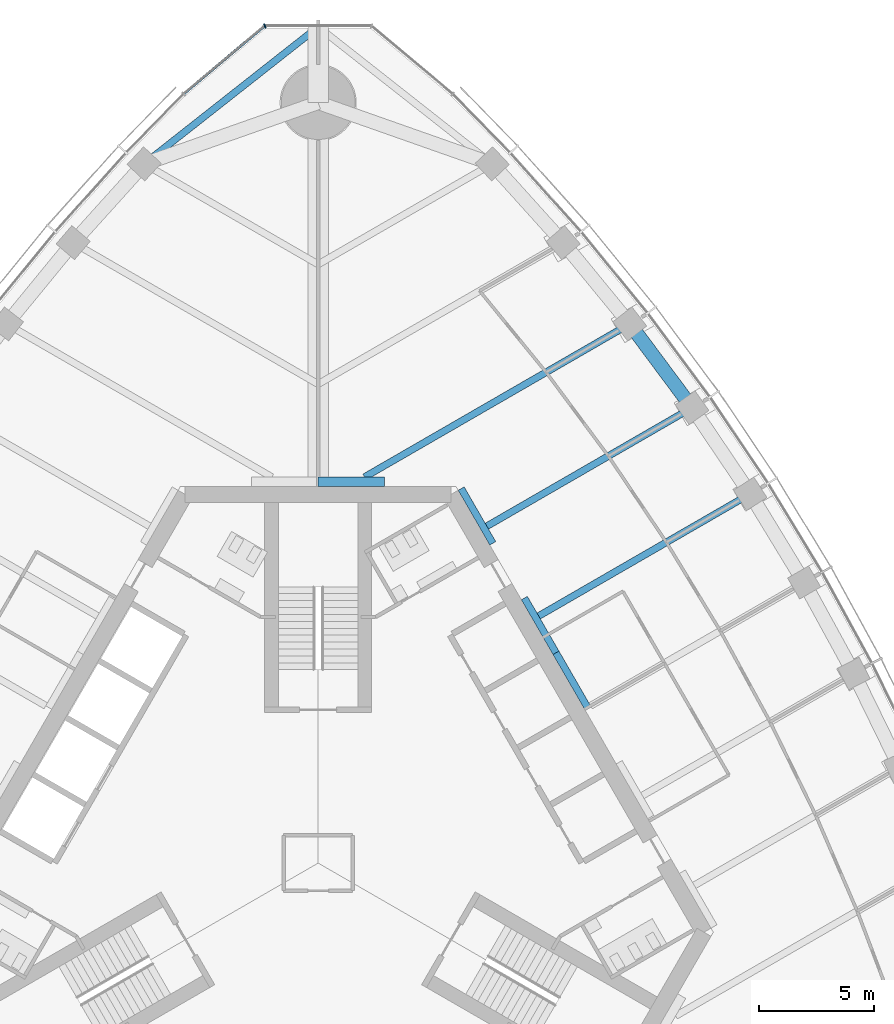
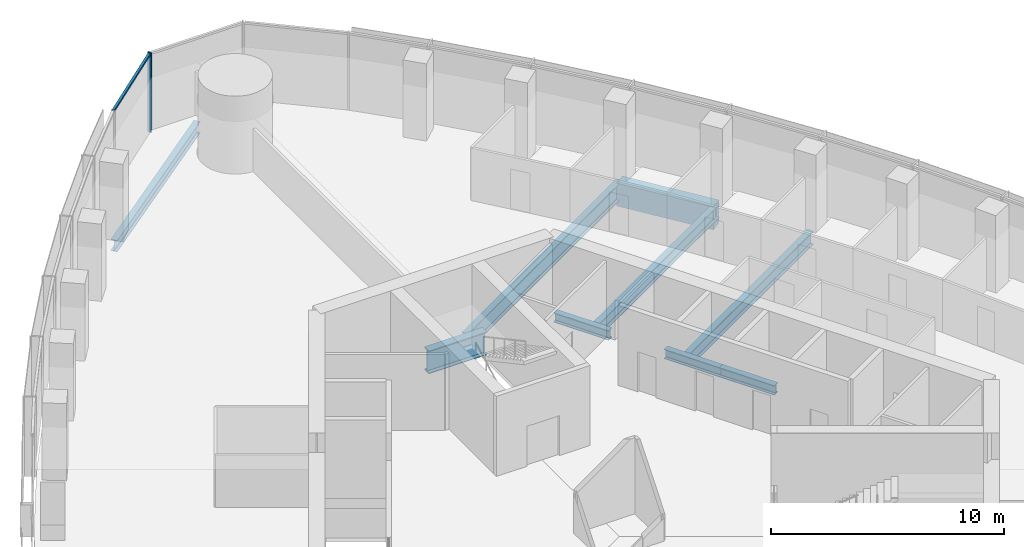
# One storey, part 6 of 19: 9 beams, 2 members, 1 element without a shape of its own.
"""IFC4 building model written with IfcOpenShell, lengths in metres."""

from ifc_helpers import new_model, si_unit, direction, frame, origin, origin_2d, place, context, subcontext, project, spatial, rectangle, i_section, extrude, material, material_profile, profile_set, type_object, element, aggregate, save


model = new_model("IFC4")

# Units and contexts
model_context = context("Model", 3, precision=1e-05, world=origin(), true_north=direction((0.0, 1.0)))
body_context = subcontext(model_context, "Body", "Model", "MODEL_VIEW")
ifc_project = project(units=[si_unit("LENGTHUNIT", "METRE"), si_unit("AREAUNIT", "SQUARE_METRE"), si_unit("VOLUMEUNIT", "CUBIC_METRE"), si_unit("PLANEANGLEUNIT", "RADIAN"), si_unit("MASSUNIT", "GRAM", prefix="KILO")], contexts=[model_context])

# Site, building, storey
site_placement = place(None, origin())
site = spatial("IfcSite", under=ifc_project, at=site_placement, CompositionType="ELEMENT")
building_placement = place(site_placement, origin())
building = spatial("IfcBuilding", under=site, at=building_placement, Name="Trefoil Bronze Tower", CompositionType="ELEMENT")
storey_placement = place(building_placement, frame((0.0, 0.0, 235.89990234375)))
storey = spatial("IfcBuildingStorey", under=building, at=storey_placement, Name="L54", CompositionType="ELEMENT", Elevation=235.89990234375)

# Curtain wall, members
ifc_material_1 = material(Name="Tinted solar-control glass", Category="glass")
curtain_wall_type = type_object("IfcCurtainWallType", Name="Bronze rounded corner curtain wall", PredefinedType="USERDEFINED", material=ifc_material_1)
curtain_wall_placement = place(storey_placement, origin())
curtain_wall = element("IfcCurtainWall", 1, at=curtain_wall_placement, inside=storey, type_object=curtain_wall_type, Name="CW-B L54 K2", ObjectType="CURTAIN WALL", PredefinedType="USERDEFINED")
ifc_material_2 = material(Name="Bronze-finish aluminium", Category="aluminium")
ifc_material_profile_1 = material_profile(ifc_material_2, rectangle(XDim=0.199951171875, YDim=0.06005859375, at=origin_2d()), Name="CW-B mullion")
ifc_profile_set_1 = profile_set([ifc_material_profile_1], Name="Bronze-finish aluminium")
member_type_1 = type_object("IfcMemberType", Name="Bronze rounded corner curtain wall mullion", PredefinedType="MULLION", material=ifc_profile_set_1)
member_1_placement = place(storey_placement, frame((-2.314453125, 36.326416015625, 0.0), z_axis=(0.0, 0.0, 1.0), x_axis=(0.342020143326, -0.939692620786, 0.0)))
member_1 = element("IfcMember", 2, at=member_1_placement, type_object=member_type_1, Name="CW-B L54 K2 mullion 3", PredefinedType="MULLION", context=body_context, shape_type="SweptSolid", body=[
    extrude(rectangle(XDim=0.199951171875, YDim=0.06005859375, at=origin_2d()), origin(), (0.0, 0.0, 1.0), 4.18017578125),
])
ifc_material_3 = material(Name="Bronze-finish aluminium", Category="aluminium")
ifc_material_profile_2 = material_profile(ifc_material_3, rectangle(XDim=0.1201171875, YDim=0.10009765625, at=origin_2d()), Name="CW-B transom")
ifc_profile_set_2 = profile_set([ifc_material_profile_2], Name="Bronze-finish aluminium")
member_type_2 = type_object("IfcMemberType", Name="Bronze rounded corner curtain wall transom", PredefinedType="USERDEFINED", material=ifc_profile_set_2)
member_2_placement = place(storey_placement, frame((-2.367431640625, 36.289794921875, 4.130126953125), z_axis=(-0.766046761698, -0.642784846501, 0.0), x_axis=(0.642784846501, -0.766046761698, 0.0)))
member_2 = element("IfcMember", 3, at=member_2_placement, type_object=member_type_2, Name="CW-B L54 K2 transom 3", ObjectType="TRANSOM", PredefinedType="USERDEFINED", context=body_context, shape_type="SweptSolid", body=[
    extrude(rectangle(XDim=0.1201171875, YDim=0.10009765625, at=origin_2d()), origin(), (0.0, 0.0, 1.0), 4.5),
])
aggregate(curtain_wall, [member_1, member_2])

# Beams
ifc_material_4 = material(Name="Steel C355", Category="steel")
ifc_material_profile_3 = material_profile(ifc_material_4, i_section(OverallWidth=0.300048828125, OverallDepth=0.5, WebThickness=0.014404296875, FlangeThickness=0.028076171875, FilletRadius=0.027099609375, at=origin_2d()), Name="HEB 500")
ifc_profile_set_3 = profile_set([ifc_material_profile_3], Name="Steel C355")
beam_type_1 = type_object("IfcBeamType", Name="Core seat beam HEB 500", PredefinedType="BEAM", material=ifc_profile_set_3)
for number, where, z_axis, x_axis, name in (
    (4, (11.69140625, 6.75, -0.449951171875), (-0.500035825175, 0.866004719122, 0.0), (-0.866004719122, -0.500035825175, 0.0), "Core seat beam F2/+0 L54"),
    (5, (10.320068359375, 9.125, -0.449951171875), (-0.499969057507, 0.866043267704, 0.0), (-0.866043267704, -0.499969057507, 0.0), "Core seat beam F2/+1 L54"),
    (6, (7.57763671875, 13.875, -0.449951171875), (-0.499969057507, 0.866043267704, 0.0), (-0.866043267704, -0.499969057507, 0.0), "Core seat beam F2/+2 L54"),
):
    element("IfcBeam", number, at=place(storey_placement, frame(where, z_axis=z_axis, x_axis=x_axis)), inside=storey, type_object=beam_type_1, Name=name, PredefinedType="BEAM", context=body_context, shape_type="SweptSolid", body=[
        extrude(i_section(OverallWidth=0.300048828125, OverallDepth=0.5, WebThickness=0.014404296875, FlangeThickness=0.028076171875, FilletRadius=0.027099609375, at=origin_2d()), origin(), (0.0, 0.0, 1.0), 2.742431640625),
    ])
ifc_material_5 = material(Name="Steel C355", Category="steel")
ifc_material_profile_4 = material_profile(ifc_material_5, i_section(OverallWidth=0.39990234375, OverallDepth=1.199951171875, WebThickness=0.02001953125, FlangeThickness=0.0400390625, FilletRadius=0.010009765625, at=origin_2d()), Name="WPG 1200")
ifc_profile_set_4 = profile_set([ifc_material_profile_4], Name="Steel C355")
beam_type_2 = type_object("IfcBeamType", Name="Core seat beam WPG 1200", PredefinedType="BEAM", material=ifc_profile_set_4)
beam_1_placement = place(storey_placement, frame((2.88671875, 16.550048828125, -0.7998046875), z_axis=(-1.0, 0.0, 0.0), x_axis=(0.0, -1.0, 0.0)))
element("IfcBeam", 7, at=beam_1_placement, inside=storey, type_object=beam_type_2, Name="Core seat beam F2/+3 L54", PredefinedType="BEAM", context=body_context, shape_type="SweptSolid", body=[
    extrude(i_section(OverallWidth=0.39990234375, OverallDepth=1.199951171875, WebThickness=0.02001953125, FlangeThickness=0.0400390625, FilletRadius=0.010009765625, at=origin_2d()), origin(), (0.0, 0.0, 1.0), 2.88671875),
])
ifc_material_6 = material(Name="Steel C355", Category="steel")
ifc_material_profile_5 = material_profile(ifc_material_6, i_section(OverallWidth=0.300048828125, OverallDepth=0.60009765625, WebThickness=0.015380859375, FlangeThickness=0.030029296875, FilletRadius=0.027099609375, at=origin_2d()), Name="HEB 600")
ifc_profile_set_5 = profile_set([ifc_material_profile_5], Name="Steel C355")
beam_type_3 = type_object("IfcBeamType", Name="Corner edge beam HEB 600", PredefinedType="BEAM", material=ifc_profile_set_5)
beam_2_placement = place(storey_placement, frame((-7.552001953125, 30.3408203125, -0.5), z_axis=(0.785805912008, 0.618473175371, 0.0), x_axis=(-0.618473175371, 0.785805912008, 0.0)))
element("IfcBeam", 8, at=beam_2_placement, inside=storey, type_object=beam_type_3, Name="Corner edge beam F3B L54", PredefinedType="BEAM", context=body_context, shape_type="SweptSolid", body=[
    extrude(i_section(OverallWidth=0.300048828125, OverallDepth=0.60009765625, WebThickness=0.015380859375, FlangeThickness=0.030029296875, FilletRadius=0.027099609375, at=origin_2d()), origin(), (0.0, 0.0, 1.0), 9.610595703125),
])
ifc_material_7 = material(Name="Steel C355", Category="steel")
ifc_material_profile_6 = material_profile(ifc_material_7, i_section(OverallWidth=0.300048828125, OverallDepth=0.699951171875, WebThickness=0.01708984375, FlangeThickness=0.031982421875, FilletRadius=0.027099609375, at=origin_2d()), Name="HEB 700")
ifc_profile_set_6 = profile_set([ifc_material_profile_6], Name="Steel C355")
beam_type_4 = type_object("IfcBeamType", Name="Floor beam HEB 700", PredefinedType="BEAM", material=ifc_profile_set_6)
beam_3_placement = place(storey_placement, frame((18.748046875, 16.020263671875, -0.5498046875), z_axis=(-0.86602981261, -0.499992363612, 0.0), x_axis=(0.499992363612, -0.86602981261, 0.0)))
element("IfcBeam", 9, at=beam_3_placement, inside=storey, type_object=beam_type_4, Name="Floor beam F2/+1 L54", PredefinedType="BEAM", context=body_context, shape_type="SweptSolid", body=[
    extrude(i_section(OverallWidth=0.300048828125, OverallDepth=0.699951171875, WebThickness=0.01708984375, FlangeThickness=0.031982421875, FilletRadius=0.027099609375, at=origin_2d()), origin(), (0.0, 0.0, 1.0), 10.596435546875),
])
beam_4_placement = place(storey_placement, frame((16.2265625, 19.7607421875, -0.5498046875), z_axis=(-0.866019527493, -0.500010177898, 0.0), x_axis=(0.500010177898, -0.866019527493, 0.0)))
element("IfcBeam", 10, at=beam_4_placement, inside=storey, type_object=beam_type_4, Name="Floor beam F2/+2 L54", PredefinedType="BEAM", context=body_context, shape_type="SweptSolid", body=[
    extrude(i_section(OverallWidth=0.300048828125, OverallDepth=0.699951171875, WebThickness=0.01708984375, FlangeThickness=0.031982421875, FilletRadius=0.027099609375, at=origin_2d()), origin(), (0.0, 0.0, 1.0), 10.282958984375),
])
ifc_material_8 = material(Name="Steel C355", Category="steel")
ifc_material_profile_7 = material_profile(ifc_material_8, i_section(OverallWidth=0.300048828125, OverallDepth=0.89990234375, WebThickness=0.0185546875, FlangeThickness=0.034912109375, FilletRadius=0.030029296875, at=origin_2d()), Name="HEB 900")
ifc_profile_set_7 = profile_set([ifc_material_profile_7], Name="Steel C355")
beam_type_5 = type_object("IfcBeamType", Name="Floor beam HEB 900", PredefinedType="BEAM", material=ifc_profile_set_7)
beam_5_placement = place(storey_placement, frame((13.522216796875, 23.3955078125, -0.64990234375), z_axis=(-0.866023461342, -0.500003364394, 0.0), x_axis=(0.500003364394, -0.866023461342, 0.0)))
element("IfcBeam", 11, at=beam_5_placement, inside=storey, type_object=beam_type_5, Name="Floor beam F2/+3 L54", PredefinedType="BEAM", context=body_context, shape_type="SweptSolid", body=[
    extrude(i_section(OverallWidth=0.300048828125, OverallDepth=0.89990234375, WebThickness=0.0185546875, FlangeThickness=0.034912109375, FilletRadius=0.030029296875, at=origin_2d()), origin(), (0.0, 0.0, 1.0), 13.291015625),
])
ifc_material_9 = material(Name="Concrete B80", Category="concrete")
ifc_material_profile_8 = material_profile(ifc_material_9, rectangle(XDim=0.60009765625, YDim=1.199951171875, at=origin_2d()), Name="RC 600x1200")
ifc_profile_set_8 = profile_set([ifc_material_profile_8], Name="Concrete B80")
beam_type_6 = type_object("IfcBeamType", Name="Spandrel beam RC 600x1200", PredefinedType="SPANDREL", material=ifc_profile_set_8)
beam_6_placement = place(storey_placement, frame((16.2265625, 19.7607421875, -0.7998046875), z_axis=(-0.596926078257, 0.802296240236, 0.0), x_axis=(-0.802296240236, -0.596926078257, 0.0)))
element("IfcBeam", 12, at=beam_6_placement, inside=storey, type_object=beam_type_6, Name="Spandrel F2.9 L54", PredefinedType="SPANDREL", context=body_context, shape_type="SweptSolid", body=[
    extrude(rectangle(XDim=0.60009765625, YDim=1.199951171875, at=origin_2d()), origin(), (0.0, 0.0, 1.0), 4.530517578125),
])

save(model, "model.ifc")
